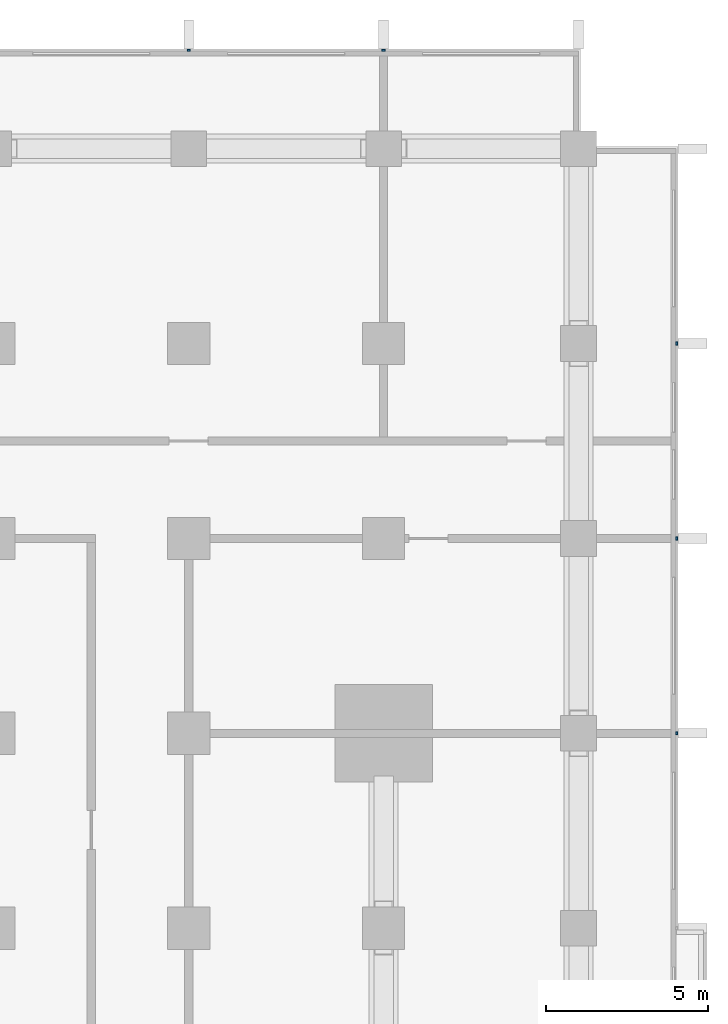
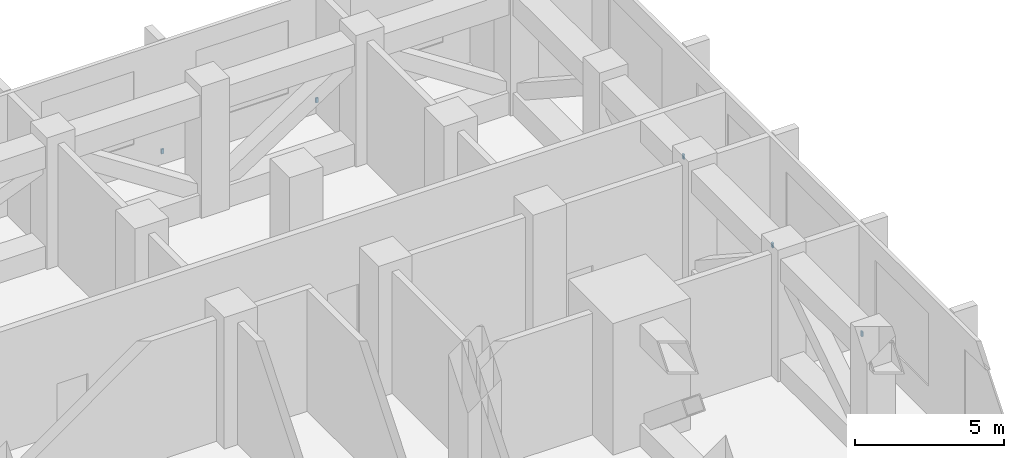
# One storey, part 12 of 13: 5 discrete accessories.
"""IFC4 building model written with IfcOpenShell, lengths in metres."""

import ifcopenshell
import ifcopenshell.guid

model = None  # the IFC model being written
_history = None  # IfcOwnerHistory: only IFC2X3 demands one
_inside = {}  # id of a spatial element -> (the spatial element, [elements in it])
_under = {}  # id of a project, library or spatial element -> (it, [spatial elements below it])
_declared = {}  # id of a project -> (the project, [libraries it declares])
_typed = {}  # id of a type object -> (the type object, [elements of that type])
_made_of = {}  # id of a material, layer set ... -> (it, [elements and type objects made of it])


def new_model(schema):
    """Start an empty IFC model of exactly this schema.

    Asked for "IFC4X3", IfcOpenShell would pick the latest addendum, in which some entities
    have other attributes; the version numbers below select the first issue.
    IFC2X3 requires an IfcOwnerHistory on every rooted entity: one is made here for all.
    """
    global model, _history
    if schema == "IFC4X3":
        model = ifcopenshell.file(schema_version=(4, 3, 0, 0))
    else:
        model = ifcopenshell.file(schema=schema)
    _inside.clear()
    _under.clear()
    _declared.clear()
    _typed.clear()
    _made_of.clear()
    _history = None
    if model.schema == "IFC2X3":
        org = make("IfcOrganization", Name="unknown")
        user = make(
            "IfcPersonAndOrganization",
            ThePerson=make("IfcPerson", FamilyName="unknown"),
            TheOrganization=org,
        )
        app = make(
            "IfcApplication",
            ApplicationDeveloper=org,
            Version="unknown",
            ApplicationFullName="unknown",
            ApplicationIdentifier="unknown",
        )
        _history = make(
            "IfcOwnerHistory",
            OwningUser=user,
            OwningApplication=app,
            ChangeAction="ADDED",
            CreationDate=0,
        )
    return model


def make(cls, **values):
    """One entity of the class cls with the attributes given. An attribute that is None is left unset."""
    return model.create_entity(
        cls, **{name: value for name, value in values.items() if value is not None}
    )


def rooted(cls, **values):
    """An entity with a GlobalId (a new one), such as an element, a storey or a relation."""
    return make(cls, GlobalId=ifcopenshell.guid.new(), OwnerHistory=_history, **values)


def si_unit(unit_type, name, prefix=None):
    """IfcSIUnit, for example si_unit("LENGTHUNIT", "METRE", prefix="MILLI")."""
    return make("IfcSIUnit", UnitType=unit_type, Prefix=prefix, Name=name)


def assignment(units):
    """IfcUnitAssignment: the units of a project."""
    return None if units is None else make("IfcUnitAssignment", Units=units)


def point(xyz):
    """IfcCartesianPoint."""
    return None if xyz is None else make("IfcCartesianPoint", Coordinates=xyz)


def direction(xyz):
    """IfcDirection."""
    return None if xyz is None else make("IfcDirection", DirectionRatios=xyz)


def frame(location, z_axis=None, x_axis=None):
    """IfcAxis2Placement3D, a coordinate frame: its origin and axes. An axis left out is left unset."""
    return make(
        "IfcAxis2Placement3D",
        Location=point(location),
        Axis=direction(z_axis),
        RefDirection=direction(x_axis),
    )


def frame_2d(location, x_axis=None):
    """IfcAxis2Placement2D, a coordinate frame in the plane: its origin and x axis."""
    return make(
        "IfcAxis2Placement2D", Location=point(location), RefDirection=direction(x_axis)
    )


def origin():
    """The frame at (0, 0, 0) with its axes left unset."""
    return frame((0.0, 0.0, 0.0))


def origin_2d():
    """The frame at (0, 0) in the plane with its x axis left unset."""
    return frame_2d((0.0, 0.0))


def place(relative_to, where):
    """IfcLocalPlacement: puts the frame where relative to a parent placement (None: the world)."""
    return make(
        "IfcLocalPlacement", PlacementRelTo=relative_to, RelativePlacement=where
    )


def context(
    kind, dimensions, precision=None, world=None, true_north=None, identifier=None
):
    """IfcGeometricRepresentationContext, for example the 3D "Model" context."""
    return make(
        "IfcGeometricRepresentationContext",
        ContextIdentifier=identifier,
        ContextType=kind,
        CoordinateSpaceDimension=dimensions,
        Precision=precision,
        WorldCoordinateSystem=world,
        TrueNorth=true_north,
    )


def subcontext(parent, identifier, kind, view, scale=None):
    """IfcGeometricRepresentationSubContext, for example "Body" below "Model"."""
    return make(
        "IfcGeometricRepresentationSubContext",
        ContextIdentifier=identifier,
        ContextType=kind,
        ParentContext=parent,
        TargetScale=scale,
        TargetView=view,
    )


def project(units=None, contexts=None):
    """IfcProject with its units and contexts."""
    return rooted(
        "IfcProject",
        Name="project",
        RepresentationContexts=contexts,
        UnitsInContext=assignment(units),
    )


def spatial(cls, under=None, at=None, **own):
    """A site, building, storey or space (cls), placed at a placement, below another one or the project."""
    s = rooted(cls, ObjectPlacement=at, **own)
    if under is not None:
        _under.setdefault(under.id(), (under, []))[1].append(s)
    return s


def profile(cls, at=None, kind="AREA", **sizes):
    """A parametric profile (cls). Its sizes go by their IFC names, for example OverallWidth=200.0."""
    return make(cls, ProfileType=kind, Position=at, **sizes)


def rectangle(**sizes):
    """IfcRectangleProfileDef."""
    return profile("IfcRectangleProfileDef", **sizes)


def extrude(swept, where, along, depth):
    """IfcExtrudedAreaSolid: the profile swept, set in the frame where, extruded along a direction by depth."""
    return make(
        "IfcExtrudedAreaSolid",
        SweptArea=swept,
        Position=where,
        ExtrudedDirection=direction(along),
        Depth=depth,
    )


def shape(context_of_items, identifier, shape_type, items):
    """IfcShapeRepresentation: the items that make up one representation, for example the "Body"."""
    return make(
        "IfcShapeRepresentation",
        ContextOfItems=context_of_items,
        RepresentationIdentifier=identifier,
        RepresentationType=shape_type,
        Items=items,
    )


def material(Name=None, Category=None):
    """IfcMaterial."""
    return make("IfcMaterial", Name=Name, Category=Category)


def made_of(thing, what):
    """Note that an element or type object is made of a material, layer set ...; save() writes the relation."""
    if what is not None:
        _made_of.setdefault(what.id(), (what, []))[1].append(thing)
    return thing


def type_object(cls, material=None, **own):
    """A type object (cls), such as IfcWallType, which elements share."""
    return made_of(rooted(cls, **own), material)


def element(
    cls,
    number,
    at=None,
    inside=None,
    cuts=None,
    type_object=None,
    material=None,
    context=None,
    identifier="Body",
    shape_type=None,
    held_by="IfcProductDefinitionShape",
    body=None,
    shapes=None,
    **own,
):
    """One element of the class cls, such as IfcWall. Its Tag is "e" and its number.

    at: its placement. inside: the storey or other place that contains it. cuts: it is an
    opening in that element (IfcRelVoidsElement). A single representation is given by context,
    identifier, shape_type and body (its items); several are given by shapes. held_by: the class
    of the entity that holds the representations. save() writes the other relations.
    """
    e = rooted(cls, Tag="e%d" % number, ObjectPlacement=at, **own)
    if body is not None:
        shapes = [shape(context, identifier, shape_type, body)]
    if shapes is not None:
        e.Representation = make(held_by, Representations=shapes)
    if inside is not None:
        _inside.setdefault(inside.id(), (inside, []))[1].append(e)
    if cuts is not None:
        rooted(
            "IfcRelVoidsElement", RelatingBuildingElement=cuts, RelatedOpeningElement=e
        )
    if type_object is not None:
        _typed.setdefault(type_object.id(), (type_object, []))[1].append(e)
    return made_of(e, material)


def aggregate(whole, parts):
    """IfcRelAggregates: a whole, such as a stair, and the parts it consists of."""
    return rooted("IfcRelAggregates", RelatingObject=whole, RelatedObjects=parts)


def save(model, path):
    """Write the relations noted so far, then the file.

    IfcRelAggregates (storeys below a building ...), IfcRelContainedInSpatialStructure (elements
    in a storey), IfcRelDefinesByType, IfcRelAssociatesMaterial and IfcRelDeclares: one each for
    every whole, place, type object, material and project.
    """
    for whole, parts in _under.values():
        aggregate(whole, parts)
    for where, things in _inside.values():
        rooted(
            "IfcRelContainedInSpatialStructure",
            RelatedElements=things,
            RelatingStructure=where,
        )
    for kind, things in _typed.values():
        rooted("IfcRelDefinesByType", RelatedObjects=things, RelatingType=kind)
    for what, things in _made_of.values():
        rooted("IfcRelAssociatesMaterial", RelatedObjects=things, RelatingMaterial=what)
    for by, libraries in _declared.values():
        rooted("IfcRelDeclares", RelatingContext=by, RelatedDefinitions=libraries)
    model.write(path)


model = new_model("IFC4")

# Units and contexts
model_context = context("Model", 3, precision=1e-05, world=origin(), true_north=direction((0.0, 1.0)))
body_context = subcontext(model_context, "Body", "Model", "MODEL_VIEW")
ifc_project = project(units=[si_unit("LENGTHUNIT", "METRE"), si_unit("AREAUNIT", "SQUARE_METRE"), si_unit("VOLUMEUNIT", "CUBIC_METRE"), si_unit("PLANEANGLEUNIT", "RADIAN"), si_unit("MASSUNIT", "GRAM", prefix="KILO")], contexts=[model_context])

# Site, building, storey
site_placement = place(None, origin())
site = spatial("IfcSite", under=ifc_project, at=site_placement, CompositionType="ELEMENT")
building_placement = place(site_placement, origin())
building = spatial("IfcBuilding", under=site, at=building_placement, Name="Finial Court Residences", CompositionType="ELEMENT")
storey_placement = place(building_placement, frame((0.0, 0.0, 75.699951171875)))
storey = spatial("IfcBuildingStorey", under=building, at=storey_placement, Name="L18", CompositionType="ELEMENT", Elevation=75.699951171875)

# Discrete accessories
ifc_material = material(Name="Stainless steel 316", Category="steel")
discrete_accessory_type = type_object("IfcDiscreteAccessoryType", Name="Fin bracket, stainless steel 100 x 60 x 200", PredefinedType="BRACKET", material=ifc_material)
for number, where, z_axis, x_axis, name in (
    (1, (10.5, 28.530029296875, 0.30029296875), (0.0, 0.0, 1.0), (1.0, 0.0, 0.0), "E-L18-FIN-N6-BRK"),
    (2, (16.5, 28.530029296875, 0.30029296875), (0.0, 0.0, 1.0), (1.0, 0.0, 0.0), "E-L18-FIN-N7-BRK"),
):
    element("IfcDiscreteAccessory", number, at=place(storey_placement, frame(where, z_axis=z_axis, x_axis=x_axis)), inside=storey, type_object=discrete_accessory_type, Name=name, PredefinedType="BRACKET", context=body_context, shape_type="SweptSolid", body=[
        extrude(rectangle(XDim=0.10009765625, YDim=0.06005859375, at=origin_2d()), origin(), (0.0, 0.0, 1.0), 0.199951171875),
    ])
for number, where, z_axis, x_axis, name in (
    (3, (25.530029296875, 7.5, 0.30029296875), (0.0, 0.0, 1.0), (1.0, 0.0, 0.0), "E-L18-FIN-E13-BRK"),
    (4, (25.530029296875, 13.5, 0.30029296875), (0.0, 0.0, 1.0), (1.0, 0.0, 0.0), "E-L18-FIN-E14-BRK"),
    (5, (25.530029296875, 19.5, 0.30029296875), (0.0, 0.0, 1.0), (1.0, 0.0, 0.0), "E-L18-FIN-E15-BRK"),
):
    element("IfcDiscreteAccessory", number, at=place(storey_placement, frame(where, z_axis=z_axis, x_axis=x_axis)), inside=storey, type_object=discrete_accessory_type, Name=name, PredefinedType="BRACKET", context=body_context, shape_type="SweptSolid", body=[
        extrude(rectangle(XDim=0.06005859375, YDim=0.10009765625, at=origin_2d()), origin(), (0.0, 0.0, 1.0), 0.199951171875),
    ])

save(model, "model.ifc")
